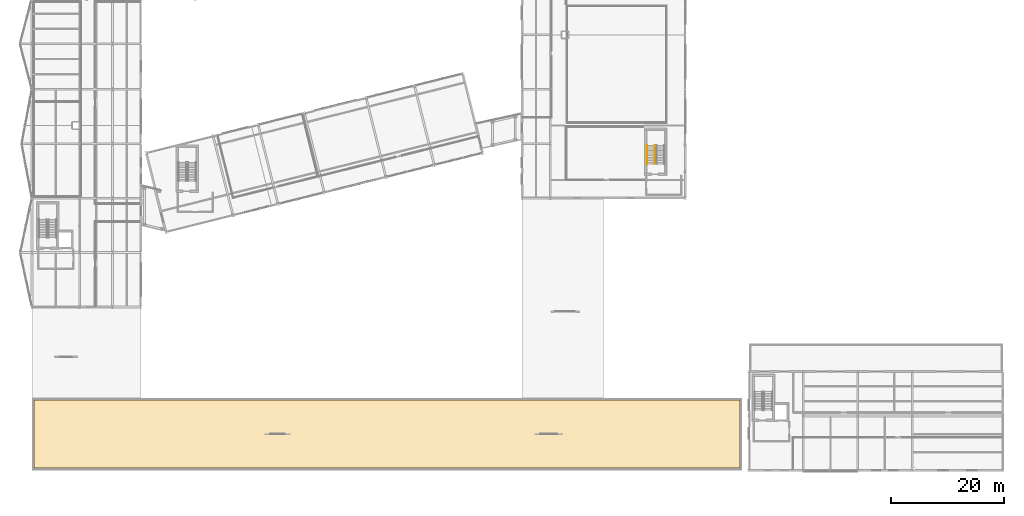
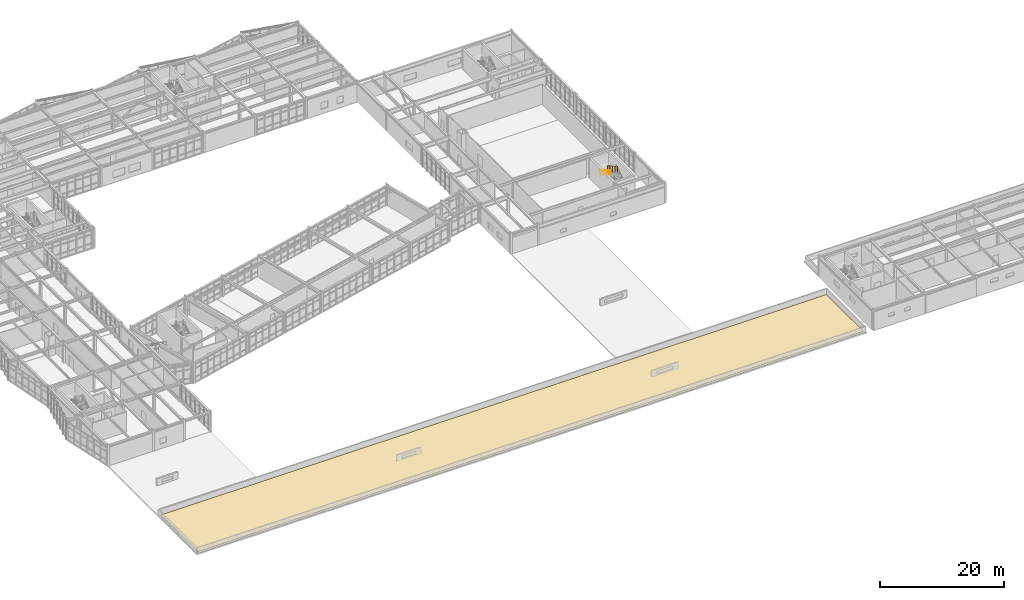
# One storey, part 82 of 88: 2 railings, 1 covering.
"""IFC4 building model written with IfcOpenShell, lengths in metres."""

from ifc_helpers import new_model, si_unit, direction, frame, origin, origin_2d, place, context, subcontext, project, spatial, polyline, circle, outline, extrude, material, layer, layer_set, type_object, element, save


model = new_model("IFC4")

# Units and contexts
model_context = context("Model", 3, precision=1e-05, world=origin(), true_north=direction((0.0, 1.0)))
body_context = subcontext(model_context, "Body", "Model", "MODEL_VIEW")
ifc_project = project(units=[si_unit("LENGTHUNIT", "METRE"), si_unit("AREAUNIT", "SQUARE_METRE"), si_unit("VOLUMEUNIT", "CUBIC_METRE"), si_unit("PLANEANGLEUNIT", "RADIAN"), si_unit("MASSUNIT", "GRAM", prefix="KILO")], contexts=[model_context])

# Site, building, storey
site_placement = place(None, origin())
site = spatial("IfcSite", under=ifc_project, at=site_placement, CompositionType="ELEMENT")
building_placement = place(site_placement, origin())
building = spatial("IfcBuilding", under=site, at=building_placement, Name="Nordkorset Police Headquarters", CompositionType="ELEMENT")
storey_placement = place(building_placement, frame((0.0, 0.0, 9.449951171875)))
storey = spatial("IfcBuildingStorey", under=building, at=storey_placement, Name="L02", CompositionType="ELEMENT", Elevation=9.449951171875)

# Railings
ifc_material_1 = material(Name="Steel S355J2", Category="steel")
ifc_layer_1 = layer(ifc_material_1, 0.048095703125, Name="Steel S355J2")
ifc_layer_set_1 = layer_set([ifc_layer_1], Name="Steel S355J2")
railing_type_1 = type_object("IfcRailingType", Name="Railing_Handrail_900", PredefinedType="HANDRAIL", material=ifc_layer_set_1)
railing_1_placement = place(storey_placement, frame((108.425048828125, 57.27001953125, 2.275146484375)))
element("IfcRailing", 1, at=railing_1_placement, inside=storey, type_object=railing_type_1, Name="L02 ST-09 stair handrail 2", PredefinedType="HANDRAIL", context=body_context, shape_type="SweptSolid", body=[
    extrude(circle(Radius=0.02392578125, at=origin_2d()), frame((0.0, 0.0, 0.8759765625), z_axis=(0.0, -0.860085452069, 0.510149992786), x_axis=(1.0, 0.0, 0.0)), (0.0, 0.0, 1.0), 3.77294921875),
    extrude(circle(Radius=0.02099609375, at=origin_2d()), origin(), (0.0, 0.0, 1.0), 0.851806640625),
    extrude(circle(Radius=0.02099609375, at=origin_2d()), frame((0.0, -0.811279296875, 0.481201171875)), (0.0, 0.0, 1.0), 0.851806640625),
    extrude(circle(Radius=0.02099609375, at=origin_2d()), frame((0.0, -1.62255859375, 0.96240234375)), (0.0, 0.0, 1.0), 0.851806640625),
    extrude(circle(Radius=0.02099609375, at=origin_2d()), frame((0.0, -2.433837890625, 1.443603515625)), (0.0, 0.0, 1.0), 0.851806640625),
    extrude(circle(Radius=0.02099609375, at=origin_2d()), frame((0.0, -3.2451171875, 1.9248046875)), (0.0, 0.0, 1.0), 0.851806640625),
])
ifc_material_2 = material(Name="Steel S355J2", Category="steel")
ifc_layer_2 = layer(ifc_material_2, 0.050048828125, Name="Steel S355J2")
ifc_layer_set_2 = layer_set([ifc_layer_2], Name="Steel S355J2")
railing_type_2 = type_object("IfcRailingType", Name="Railing_StairGuard_1200", PredefinedType="GUARDRAIL", material=ifc_layer_set_2)
railing_2_placement = place(storey_placement, frame((109.824951171875, 57.27001953125, 2.275146484375)))
element("IfcRailing", 2, at=railing_2_placement, inside=storey, type_object=railing_type_2, Name="L02 ST-09 stair guard 3", PredefinedType="GUARDRAIL", context=body_context, shape_type="SweptSolid", body=[
    extrude(circle(Radius=0.02392578125, at=origin_2d()), frame((0.0, 0.0, 1.17578125), z_axis=(0.0, -0.860085452069, 0.510149992786), x_axis=(1.0, 0.0, 0.0)), (0.0, 0.0, 1.0), 3.77294921875),
    extrude(circle(Radius=0.02099609375, at=origin_2d()), origin(), (0.0, 0.0, 1.0), 1.15185546875),
    extrude(circle(Radius=0.02099609375, at=origin_2d()), frame((0.0, -0.811279296875, 0.481201171875)), (0.0, 0.0, 1.0), 1.15185546875),
    extrude(circle(Radius=0.02099609375, at=origin_2d()), frame((0.0, -1.62255859375, 0.96240234375)), (0.0, 0.0, 1.0), 1.15185546875),
    extrude(circle(Radius=0.02099609375, at=origin_2d()), frame((0.0, -2.433837890625, 1.443603515625)), (0.0, 0.0, 1.0), 1.15185546875),
    extrude(circle(Radius=0.02099609375, at=origin_2d()), frame((0.0, -3.2451171875, 1.9248046875)), (0.0, 0.0, 1.0), 1.15185546875),
])

# Covering
ifc_material_3 = material(Name="Patinated Nordic zinc")
ifc_layer_3 = layer(ifc_material_3, 0.0400390625, Name="Patinated Nordic zinc")
ifc_layer_set_3 = layer_set([ifc_layer_3], Name="Patinated Nordic zinc")
covering_type = type_object("IfcCoveringType", Name="Roofing_StandingSeam_Zinc", PredefinedType="ROOFING", material=ifc_layer_set_3)
covering_placement = place(storey_placement, origin())
element("IfcCovering", 3, at=covering_placement, inside=storey, type_object=covering_type, Name="Patinated Nordic Zinc Roof Covering ROOFCVR-V7", PredefinedType="ROOFING", context=body_context, shape_type="SweptSolid", body=[
    extrude(outline(polyline([(0.39990234375, 0.39990234375), (124.800048828125, 0.39990234375), (124.800048828125, 12.39990234375), (0.39990234375, 12.39990234375), (0.39990234375, 0.39990234375)])), origin(), (0.0, 0.0, 1.0), 0.0400390625),
])

save(model, "model.ifc")
